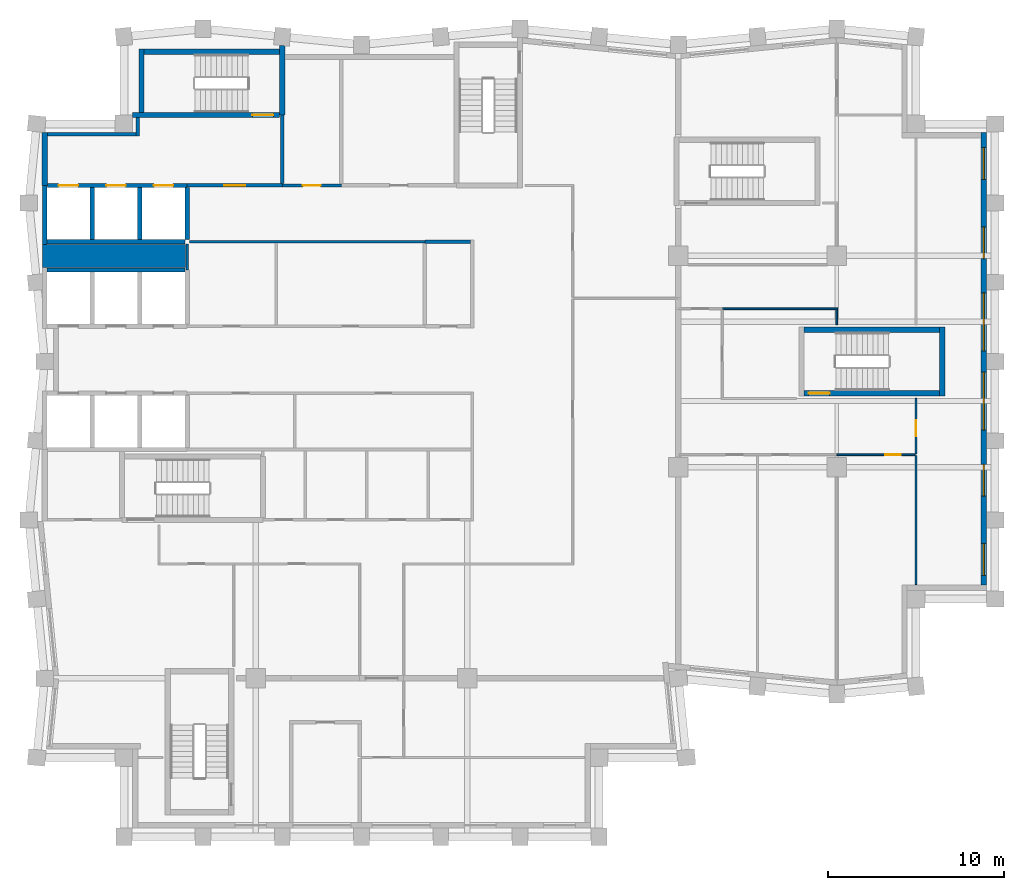
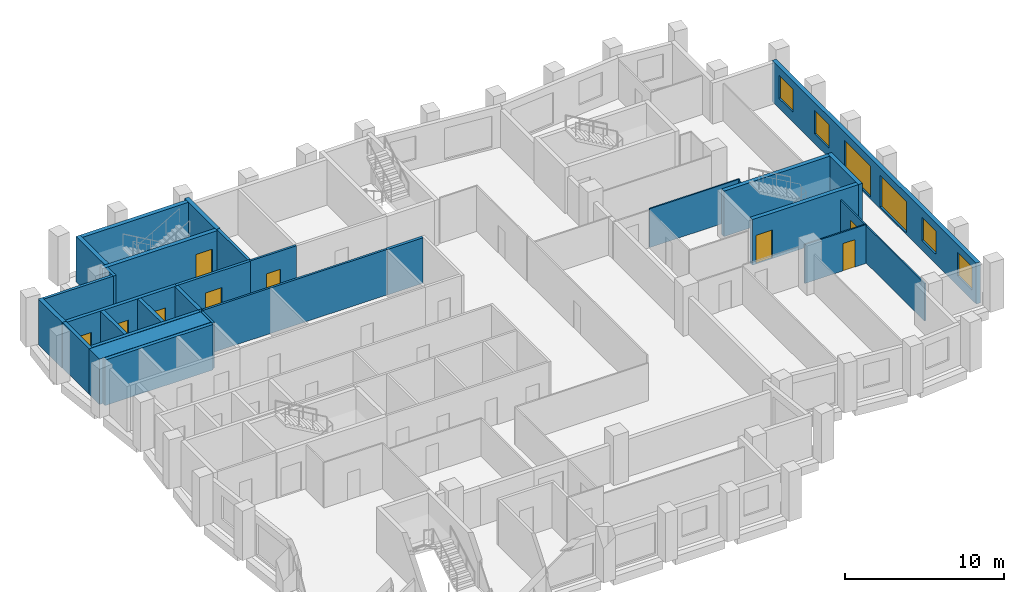
# One storey, part 5 of 8: 30 walls, 9 doors, 6 windows, 15 openings.
"""IFC4 building model written with IfcOpenShell, lengths in metres."""

from ifc_helpers import new_model, si_unit, direction, frame, frame_2d, origin, place, context, subcontext, project, spatial, rectangle, extrude, material, layer, layer_set, type_object, element, fill, save


model = new_model("IFC4")

# Units and contexts
model_context = context("Model", 3, precision=1e-05, world=origin(), true_north=direction((0.0, 1.0)))
body_context = subcontext(model_context, "Body", "Model", "MODEL_VIEW")
ifc_project = project(units=[si_unit("LENGTHUNIT", "METRE"), si_unit("AREAUNIT", "SQUARE_METRE"), si_unit("VOLUMEUNIT", "CUBIC_METRE"), si_unit("PLANEANGLEUNIT", "RADIAN"), si_unit("MASSUNIT", "GRAM", prefix="KILO")], contexts=[model_context])

# Site, building, storey
site_placement = place(None, origin())
site = spatial("IfcSite", under=ifc_project, at=site_placement, CompositionType="ELEMENT")
building_placement = place(site_placement, origin())
building = spatial("IfcBuilding", under=site, at=building_placement, Name="Brondeck Convention Tower", CompositionType="ELEMENT")
storey_placement = place(building_placement, frame((0.0, 0.0, 229.199951171875)))
storey = spatial("IfcBuildingStorey", under=building, at=storey_placement, Name="L56", CompositionType="ELEMENT", Elevation=229.199951171875)

# Walls
ifc_material_1 = material(Name="Concrete C50/60", Category="concrete")
ifc_layer_1 = layer(ifc_material_1, 0.300048828125)
ifc_layer_set_1 = layer_set([ifc_layer_1], Name="Core outer wall 300 Concrete C50/60")
wall_type_1 = type_object("IfcWallType", Name="Core outer wall 300 Concrete C50/60", PredefinedType="SHEAR", material=ifc_layer_set_1)
wall_1_placement = place(storey_placement, frame((0.0, 55.0, 0.0), z_axis=(0.0, 0.0, 1.0), x_axis=(0.0, 1.0, 0.0)))
element("IfcWall", 1, at=wall_1_placement, inside=storey, type_object=wall_type_1, Name="L56 core wall", PredefinedType="SHEAR", context=body_context, shape_type="SweptSolid", body=[
    extrude(rectangle(XDim=3.0, YDim=0.300048828125, at=frame_2d((1.5, 0.0))), origin(), (0.0, 0.0, 1.0), 3.5),
])
ifc_material_2 = material(Name="Fire-rated gypsum board partition")
ifc_layer_2 = layer(ifc_material_2, 0.14990234375)
ifc_layer_set_2 = layer_set([ifc_layer_2], Name="Core partition 150 EI 60")
wall_type_2 = type_object("IfcWallType", Name="Core partition 150 EI 60", PredefinedType="PARTITIONING", material=ifc_layer_set_2)
wall_2_placement = place(storey_placement, frame((8.22509765625, 51.800048828125, 0.0), z_axis=(0.0, 0.0, 1.0), x_axis=(1.0, 0.0, 0.0)))
element("IfcWall", 2, at=wall_2_placement, inside=storey, type_object=wall_type_2, Name="L56 core wall", PredefinedType="PARTITIONING", context=body_context, shape_type="SweptSolid", body=[
    extrude(rectangle(XDim=13.375, YDim=0.14990234375, at=frame_2d((6.6875, 0.0))), origin(), (0.0, 0.0, 1.0), 3.5),
])

# Wall, opening, door
wall_3_placement = place(storey_placement, frame((13.5, 55.0, 0.0), z_axis=(0.0, 0.0, 1.0), x_axis=(1.0, 0.0, 0.0)))
wall_3 = element("IfcWall", 3, at=wall_3_placement, inside=storey, type_object=wall_type_2, Name="L56 core wall", PredefinedType="PARTITIONING", context=body_context, shape_type="SweptSolid", body=[
    extrude(rectangle(XDim=3.35009765625, YDim=0.14990234375, at=frame_2d((1.675048828125, 0.0))), origin(), (0.0, 0.0, 1.0), 3.5),
])
opening_1_placement = place(wall_3_placement, frame((1.175048828125, 0.0, 0.0)))
opening_1 = element("IfcOpeningElement", 4, at=opening_1_placement, cuts=wall_3, Name="Opening C30-12", PredefinedType="OPENING", context=body_context, shape_type="SweptSolid", body=[
    extrude(rectangle(XDim=1.0, YDim=2.10009765625, at=frame_2d((0.5, 1.050048828125))), frame((0.0, 0.0849609375, 0.0), z_axis=(0.0, -1.0, 0.0), x_axis=(1.0, 0.0, 0.0)), (0.0, 0.0, 1.0), 0.169921875),
])
ifc_material_3 = material(Name="Steel fire door", Category="steel")
door_type_1 = type_object("IfcDoorType", Name="Room door 1000x2100 EI 60", OperationType="NOTDEFINED", PredefinedType="DOOR", material=ifc_material_3)
door_1_placement = place(opening_1_placement, origin())
door_1 = element("IfcDoor", 5, at=door_1_placement, inside=storey, type_object=door_type_1, Name="L56 Room door NE-1", OperationType="SINGLE_SWING_LEFT", OverallHeight=2.10009765625, OverallWidth=1.0, PredefinedType="DOOR", context=body_context, shape_type="SweptSolid", body=[
    extrude(rectangle(XDim=1.0, YDim=2.10009765625, at=frame_2d((0.5, 1.050048828125))), frame((0.0, 0.02490234375, 0.0), z_axis=(0.0, -1.0, 0.0), x_axis=(1.0, 0.0, 0.0)), (0.0, 0.0, 1.0), 0.050048828125),
])
fill(opening_1, door_1)

# Walls
wall_4_placement = place(storey_placement, frame((8.10009765625, 50.199951171875, 0.0), z_axis=(0.0, 0.0, 1.0), x_axis=(0.0, 1.0, 0.0)))
element("IfcWall", 6, at=wall_4_placement, inside=storey, type_object=wall_type_2, Name="L56 core wall", PredefinedType="PARTITIONING", context=body_context, shape_type="SweptSolid", body=[
    extrude(rectangle(XDim=1.47509765625, YDim=0.14990234375, at=frame_2d((0.737548828125, 0.0))), origin(), (0.0, 0.0, 1.0), 3.5),
])
ifc_layer_3 = layer(ifc_material_1, 1.300048828125)
ifc_layer_set_3 = layer_set([ifc_layer_3], Name="Core shear wall 1300 Concrete C50/60")
wall_type_3 = type_object("IfcWallType", Name="Core shear wall 1300 Concrete C50/60", PredefinedType="SHEAR", material=ifc_layer_set_3)
wall_5_placement = place(storey_placement, frame((-0.125, 51.0, 0.0), z_axis=(0.0, 0.0, 1.0), x_axis=(1.0, 0.0, 0.0)))
element("IfcWall", 7, at=wall_5_placement, inside=storey, type_object=wall_type_3, Name="L56 core wall", PredefinedType="SHEAR", context=body_context, shape_type="SweptSolid", body=[
    extrude(rectangle(XDim=8.125, YDim=1.300048828125, at=frame_2d((4.0625, 0.0))), origin(), (0.0, 0.0, 1.0), 3.5),
])

# Wall, openings, windows
ifc_material_4 = material(Name="Precast concrete C50/60 bronze finish", Category="concrete")
ifc_layer_4 = layer(ifc_material_4, 0.070068359375, Name="Bronze precast facing")
ifc_material_5 = material(Name="Mineral wool")
ifc_layer_5 = layer(ifc_material_5, 0.159912109375, Name="Insulation")
ifc_material_6 = material(Name="Concrete C35/45", Category="concrete")
ifc_layer_6 = layer(ifc_material_6, 0.070068359375, Name="Backing")
ifc_layer_set_4 = layer_set([ifc_layer_4, ifc_layer_5, ifc_layer_6], Name="External infill wall, precast concrete C50/60 bronze facing")
wall_type_4 = type_object("IfcWallType", Name="External infill wall, precast concrete C50/60 bronze facing", PredefinedType="SOLIDWALL", material=ifc_layer_set_4)
wall_6_placement = place(storey_placement, frame((53.35009765625, 58.0, 0.0), z_axis=(0.0, 0.0, 1.0), x_axis=(0.0, -1.0, 0.0)))
wall_6 = element("IfcWall", 8, at=wall_6_placement, inside=storey, type_object=wall_type_4, Name="ENV-EW-L56-P2-A-E54-01", PredefinedType="SOLIDWALL", context=body_context, shape_type="SweptSolid", body=[
    extrude(rectangle(XDim=25.701904296875, YDim=0.300048828125, at=frame_2d((12.85107421875, 0.0))), origin(), (0.0, 0.0, 1.0), 3.150146484375),
])
opening_2_placement = place(wall_6_placement, frame((0.85009765625, 0.0, 0.75)))
opening_2 = element("IfcOpeningElement", 9, at=opening_2_placement, cuts=wall_6, Name="Opening W10", PredefinedType="OPENING", context=body_context, shape_type="SweptSolid", body=[
    extrude(rectangle(XDim=1.800048828125, YDim=1.800048828125, at=frame_2d((0.89990234375, 0.89990234375))), frame((0.0, 0.159912109375, 0.0), z_axis=(0.0, -1.0, 0.0), x_axis=(1.0, 0.0, 0.0)), (0.0, 0.0, 1.0), 0.320068359375),
])
opening_3_placement = place(wall_6_placement, frame((5.35009765625, 0.0, 0.75)))
opening_3 = element("IfcOpeningElement", 10, at=opening_3_placement, cuts=wall_6, Name="Opening W10", PredefinedType="OPENING", context=body_context, shape_type="SweptSolid", body=[
    extrude(rectangle(XDim=1.800048828125, YDim=1.800048828125, at=frame_2d((0.89990234375, 0.89990234375))), frame((0.0, 0.159912109375, 0.0), z_axis=(0.0, -1.0, 0.0), x_axis=(1.0, 0.0, 0.0)), (0.0, 0.0, 1.0), 0.320068359375),
])
opening_4_placement = place(wall_6_placement, frame((9.10009765625, 0.0, 0.14990234375)))
opening_4 = element("IfcOpeningElement", 11, at=opening_4_placement, cuts=wall_6, Name="Opening W9", PredefinedType="OPENING", context=body_context, shape_type="SweptSolid", body=[
    extrude(rectangle(XDim=3.300048828125, YDim=2.39990234375, at=frame_2d((1.64990234375, 1.199951171875))), frame((0.0, 0.159912109375, 0.0), z_axis=(0.0, -1.0, 0.0), x_axis=(1.0, 0.0, 0.0)), (0.0, 0.0, 1.0), 0.320068359375),
])
opening_5_placement = place(wall_6_placement, frame((13.60009765625, 0.0, 0.14990234375)))
opening_5 = element("IfcOpeningElement", 12, at=opening_5_placement, cuts=wall_6, Name="Opening W9", PredefinedType="OPENING", context=body_context, shape_type="SweptSolid", body=[
    extrude(rectangle(XDim=3.300048828125, YDim=2.39990234375, at=frame_2d((1.64990234375, 1.199951171875))), frame((0.0, 0.159912109375, 0.0), z_axis=(0.0, -1.0, 0.0), x_axis=(1.0, 0.0, 0.0)), (0.0, 0.0, 1.0), 0.320068359375),
])
opening_6_placement = place(wall_6_placement, frame((18.85009765625, 0.0, 0.75)))
opening_6 = element("IfcOpeningElement", 13, at=opening_6_placement, cuts=wall_6, Name="Opening W10", PredefinedType="OPENING", context=body_context, shape_type="SweptSolid", body=[
    extrude(rectangle(XDim=1.800048828125, YDim=1.800048828125, at=frame_2d((0.89990234375, 0.89990234375))), frame((0.0, 0.159912109375, 0.0), z_axis=(0.0, -1.0, 0.0), x_axis=(1.0, 0.0, 0.0)), (0.0, 0.0, 1.0), 0.320068359375),
])
opening_7_placement = place(wall_6_placement, frame((23.35009765625, 0.0, 0.75)))
opening_7 = element("IfcOpeningElement", 14, at=opening_7_placement, cuts=wall_6, Name="Opening W10", PredefinedType="OPENING", context=body_context, shape_type="SweptSolid", body=[
    extrude(rectangle(XDim=1.800048828125, YDim=1.800048828125, at=frame_2d((0.89990234375, 0.89990234375))), frame((0.0, 0.159912109375, 0.0), z_axis=(0.0, -1.0, 0.0), x_axis=(1.0, 0.0, 0.0)), (0.0, 0.0, 1.0), 0.320068359375),
])
ifc_material_7 = material(Name="Bronze tinted double glazing", Category="glass")
window_type_1 = type_object("IfcWindowType", Name="Glazed flute window, bronze tinted", PartitioningType="SINGLE_PANEL", PredefinedType="WINDOW", material=ifc_material_7)
window_1_placement = place(opening_4_placement, origin())
window_1 = element("IfcWindow", 15, at=window_1_placement, inside=storey, type_object=window_type_1, Name="ENV-WN-L56-P2-A-E54-04", OverallHeight=2.39990234375, OverallWidth=3.300048828125, PartitioningType="SINGLE_PANEL", PredefinedType="WINDOW", context=body_context, shape_type="SweptSolid", body=[
    extrude(rectangle(XDim=3.300048828125, YDim=2.39990234375, at=frame_2d((1.64990234375, 1.199951171875))), frame((0.0, 0.030029296875, 0.0), z_axis=(0.0, -1.0, 0.0), x_axis=(1.0, 0.0, 0.0)), (0.0, 0.0, 1.0), 0.06005859375),
])
fill(opening_4, window_1)
window_2_placement = place(opening_5_placement, origin())
window_2 = element("IfcWindow", 16, at=window_2_placement, inside=storey, type_object=window_type_1, Name="ENV-WN-L56-P2-A-E54-03", OverallHeight=2.39990234375, OverallWidth=3.300048828125, PartitioningType="SINGLE_PANEL", PredefinedType="WINDOW", context=body_context, shape_type="SweptSolid", body=[
    extrude(rectangle(XDim=3.300048828125, YDim=2.39990234375, at=frame_2d((1.64990234375, 1.199951171875))), frame((0.0, 0.030029296875, 0.0), z_axis=(0.0, -1.0, 0.0), x_axis=(1.0, 0.0, 0.0)), (0.0, 0.0, 1.0), 0.06005859375),
])
fill(opening_5, window_2)
window_type_2 = type_object("IfcWindowType", Name="Punched window, bronze tinted", PartitioningType="SINGLE_PANEL", PredefinedType="WINDOW", material=ifc_material_7)
window_3_placement = place(opening_2_placement, origin())
window_3 = element("IfcWindow", 17, at=window_3_placement, inside=storey, type_object=window_type_2, Name="ENV-WN-L56-P2-A-E54-06", OverallHeight=1.800048828125, OverallWidth=1.800048828125, PartitioningType="SINGLE_PANEL", PredefinedType="WINDOW", context=body_context, shape_type="SweptSolid", body=[
    extrude(rectangle(XDim=1.800048828125, YDim=1.800048828125, at=frame_2d((0.89990234375, 0.89990234375))), frame((0.0, 0.030029296875, 0.0), z_axis=(0.0, -1.0, 0.0), x_axis=(1.0, 0.0, 0.0)), (0.0, 0.0, 1.0), 0.06005859375),
])
fill(opening_2, window_3)
window_4_placement = place(opening_3_placement, origin())
window_4 = element("IfcWindow", 18, at=window_4_placement, inside=storey, type_object=window_type_2, Name="ENV-WN-L56-P2-A-E54-05", OverallHeight=1.800048828125, OverallWidth=1.800048828125, PartitioningType="SINGLE_PANEL", PredefinedType="WINDOW", context=body_context, shape_type="SweptSolid", body=[
    extrude(rectangle(XDim=1.800048828125, YDim=1.800048828125, at=frame_2d((0.89990234375, 0.89990234375))), frame((0.0, 0.030029296875, 0.0), z_axis=(0.0, -1.0, 0.0), x_axis=(1.0, 0.0, 0.0)), (0.0, 0.0, 1.0), 0.06005859375),
])
fill(opening_3, window_4)
window_5_placement = place(opening_6_placement, origin())
window_5 = element("IfcWindow", 19, at=window_5_placement, inside=storey, type_object=window_type_2, Name="ENV-WN-L56-P2-A-E54-02", OverallHeight=1.800048828125, OverallWidth=1.800048828125, PartitioningType="SINGLE_PANEL", PredefinedType="WINDOW", context=body_context, shape_type="SweptSolid", body=[
    extrude(rectangle(XDim=1.800048828125, YDim=1.800048828125, at=frame_2d((0.89990234375, 0.89990234375))), frame((0.0, 0.030029296875, 0.0), z_axis=(0.0, -1.0, 0.0), x_axis=(1.0, 0.0, 0.0)), (0.0, 0.0, 1.0), 0.06005859375),
])
fill(opening_6, window_5)
window_6_placement = place(opening_7_placement, origin())
window_6 = element("IfcWindow", 20, at=window_6_placement, inside=storey, type_object=window_type_2, Name="ENV-WN-L56-P2-A-E54-01", OverallHeight=1.800048828125, OverallWidth=1.800048828125, PartitioningType="SINGLE_PANEL", PredefinedType="WINDOW", context=body_context, shape_type="SweptSolid", body=[
    extrude(rectangle(XDim=1.800048828125, YDim=1.800048828125, at=frame_2d((0.89990234375, 0.89990234375))), frame((0.0, 0.030029296875, 0.0), z_axis=(0.0, -1.0, 0.0), x_axis=(1.0, 0.0, 0.0)), (0.0, 0.0, 1.0), 0.06005859375),
])
fill(opening_7, window_6)

# Wall, opening, door
ifc_layer_7 = layer(ifc_material_2, 0.199951171875)
ifc_layer_set_5 = layer_set([ifc_layer_7], Name="Firefighting lobby wall 200 EI 120")
wall_type_5 = type_object("IfcWallType", Name="Firefighting lobby wall 200 EI 120", PredefinedType="PARTITIONING", material=ifc_layer_set_5)
wall_7_placement = place(storey_placement, frame((8.10009765625, 55.0, 0.0), z_axis=(0.0, 0.0, 1.0), x_axis=(1.0, 0.0, 0.0)))
wall_7 = element("IfcWall", 21, at=wall_7_placement, inside=storey, type_object=wall_type_5, Name="L56 core wall", PredefinedType="PARTITIONING", context=body_context, shape_type="SweptSolid", body=[
    extrude(rectangle(XDim=5.39990234375, YDim=0.199951171875, at=frame_2d((2.699951171875, 0.0))), origin(), (0.0, 0.0, 1.0), 3.5),
])
opening_8_placement = place(wall_7_placement, frame((2.10009765625, 0.0, 0.0)))
opening_8 = element("IfcOpeningElement", 22, at=opening_8_placement, cuts=wall_7, Name="Opening C30-01", PredefinedType="OPENING", context=body_context, shape_type="SweptSolid", body=[
    extrude(rectangle(XDim=1.199951171875, YDim=2.199951171875, at=frame_2d((0.60009765625, 1.10009765625))), frame((0.0, 0.10986328125, 0.0), z_axis=(0.0, -1.0, 0.0), x_axis=(1.0, 0.0, 0.0)), (0.0, 0.0, 1.0), 0.219970703125),
])
door_type_2 = type_object("IfcDoorType", Name="Firefighting lobby door 1200x2200 EI 120", OperationType="NOTDEFINED", PredefinedType="DOOR", material=ifc_material_3)
door_2_placement = place(opening_8_placement, origin())
door_2 = element("IfcDoor", 23, at=door_2_placement, inside=storey, type_object=door_type_2, Name="L56 Firefighting lobby door FFL-1", OperationType="SINGLE_SWING_RIGHT", OverallHeight=2.199951171875, OverallWidth=1.199951171875, PredefinedType="DOOR", context=body_context, shape_type="SweptSolid", body=[
    extrude(rectangle(XDim=1.199951171875, YDim=2.199951171875, at=frame_2d((0.60009765625, 1.10009765625))), frame((0.0, 0.02490234375, 0.0), z_axis=(0.0, -1.0, 0.0), x_axis=(1.0, 0.0, 0.0)), (0.0, 0.0, 1.0), 0.050048828125),
])
fill(opening_8, door_2)

# Walls
wall_8_placement = place(storey_placement, frame((0.14990234375, 57.89990234375, 0.0), z_axis=(0.0, 0.0, 1.0), x_axis=(1.0, 0.0, 0.0)))
element("IfcWall", 24, at=wall_8_placement, inside=storey, type_object=wall_type_5, Name="L56 core wall", PredefinedType="PARTITIONING", context=body_context, shape_type="SweptSolid", body=[
    extrude(rectangle(XDim=5.050048828125, YDim=0.199951171875, at=frame_2d((2.52490234375, 0.0))), origin(), (0.0, 0.0, 1.0), 3.5),
])
wall_9_placement = place(storey_placement, frame((5.300048828125, 57.800048828125, 0.0), z_axis=(0.0, 0.0, 1.0), x_axis=(0.0, 1.0, 0.0)))
element("IfcWall", 25, at=wall_9_placement, inside=storey, type_object=wall_type_5, Name="L56 core wall", PredefinedType="PARTITIONING", context=body_context, shape_type="SweptSolid", body=[
    extrude(rectangle(XDim=1.050048828125, YDim=0.199951171875, at=frame_2d((0.52490234375, 0.0))), origin(), (0.0, 0.0, 1.0), 3.5),
])
wall_10_placement = place(storey_placement, frame((13.5, 55.10009765625, 0.0), z_axis=(0.0, 0.0, 1.0), x_axis=(0.0, 1.0, 0.0)))
element("IfcWall", 26, at=wall_10_placement, inside=storey, type_object=wall_type_5, Name="L56 core wall", PredefinedType="PARTITIONING", context=body_context, shape_type="SweptSolid", body=[
    extrude(rectangle(XDim=3.89990234375, YDim=0.199951171875, at=frame_2d((1.949951171875, 0.0))), origin(), (0.0, 0.0, 1.0), 3.5),
])
ifc_layer_8 = layer(ifc_material_1, 0.25)
ifc_layer_set_6 = layer_set([ifc_layer_8], Name="Lift shaft wall 250 Concrete C50/60")
wall_type_6 = type_object("IfcWallType", Name="Lift shaft wall 250 Concrete C50/60", PredefinedType="SHEAR", material=ifc_layer_set_6)
for number, where, z_axis, x_axis, name in (
    (27, (0.125, 50.199951171875, 0.0), (0.0, 0.0, 1.0), (1.0, 0.0, 0.0), "L56 core wall"),
    (28, (0.125, 51.800048828125, 0.0), (0.0, 0.0, 1.0), (1.0, 0.0, 0.0), "L56 core wall"),
):
    element("IfcWall", number, at=place(storey_placement, frame(where, z_axis=z_axis, x_axis=x_axis)), inside=storey, type_object=wall_type_6, Name=name, PredefinedType="SHEAR", context=body_context, shape_type="SweptSolid", body=[
        extrude(rectangle(XDim=7.85009765625, YDim=0.25, at=frame_2d((3.925048828125, 0.0))), origin(), (0.0, 0.0, 1.0), 3.5),
    ])

# Wall, openings, doors
wall_11_placement = place(storey_placement, frame((0.14990234375, 55.0, 0.0), z_axis=(0.0, 0.0, 1.0), x_axis=(1.0, 0.0, 0.0)))
wall_11 = element("IfcWall", 29, at=wall_11_placement, inside=storey, type_object=wall_type_6, Name="L56 core wall", PredefinedType="SHEAR", context=body_context, shape_type="SweptSolid", body=[
    extrude(rectangle(XDim=7.9501953125, YDim=0.25, at=frame_2d((3.97509765625, 0.0))), origin(), (0.0, 0.0, 1.0), 3.5),
])
opening_9_placement = place(wall_11_placement, frame((0.64990234375, 0.0, 0.0)))
opening_9 = element("IfcOpeningElement", 30, at=opening_9_placement, cuts=wall_11, Name="Opening C30-20", PredefinedType="OPENING", context=body_context, shape_type="SweptSolid", body=[
    extrude(rectangle(XDim=1.10009765625, YDim=2.10009765625, at=frame_2d((0.550048828125, 1.050048828125))), frame((0.0, 0.135009765625, 0.0), z_axis=(0.0, -1.0, 0.0), x_axis=(1.0, 0.0, 0.0)), (0.0, 0.0, 1.0), 0.27001953125),
])
opening_10_placement = place(wall_11_placement, frame((3.35009765625, 0.0, 0.0)))
opening_10 = element("IfcOpeningElement", 31, at=opening_10_placement, cuts=wall_11, Name="Opening C30-21", PredefinedType="OPENING", context=body_context, shape_type="SweptSolid", body=[
    extrude(rectangle(XDim=1.10009765625, YDim=2.10009765625, at=frame_2d((0.550048828125, 1.050048828125))), frame((0.0, 0.135009765625, 0.0), z_axis=(0.0, -1.0, 0.0), x_axis=(1.0, 0.0, 0.0)), (0.0, 0.0, 1.0), 0.27001953125),
])
opening_11_placement = place(wall_11_placement, frame((6.050048828125, 0.0, 0.0)))
opening_11 = element("IfcOpeningElement", 32, at=opening_11_placement, cuts=wall_11, Name="Opening C30-22", PredefinedType="OPENING", context=body_context, shape_type="SweptSolid", body=[
    extrude(rectangle(XDim=1.10009765625, YDim=2.10009765625, at=frame_2d((0.550048828125, 1.050048828125))), frame((0.0, 0.135009765625, 0.0), z_axis=(0.0, -1.0, 0.0), x_axis=(1.0, 0.0, 0.0)), (0.0, 0.0, 1.0), 0.27001953125),
])
ifc_material_8 = material(Name="Stainless steel lift door", Category="steel")
door_type_3 = type_object("IfcDoorType", Name="Lift landing door 1100x2100 EI 180", OperationType="DOUBLE_DOOR_SLIDING", PredefinedType="DOOR", material=ifc_material_8)
door_3_placement = place(opening_9_placement, origin())
door_3 = element("IfcDoor", 33, at=door_3_placement, inside=storey, type_object=door_type_3, Name="L56 Lift landing door FF1", OperationType="DOUBLE_DOOR_SLIDING", OverallHeight=2.10009765625, OverallWidth=1.10009765625, PredefinedType="DOOR", context=body_context, shape_type="SweptSolid", body=[
    extrude(rectangle(XDim=1.10009765625, YDim=2.10009765625, at=frame_2d((0.550048828125, 1.050048828125))), frame((0.0, 0.02490234375, 0.0), z_axis=(0.0, -1.0, 0.0), x_axis=(1.0, 0.0, 0.0)), (0.0, 0.0, 1.0), 0.050048828125),
])
fill(opening_9, door_3)
door_4_placement = place(opening_10_placement, origin())
door_4 = element("IfcDoor", 34, at=door_4_placement, inside=storey, type_object=door_type_3, Name="L56 Lift landing door FF2", OperationType="DOUBLE_DOOR_SLIDING", OverallHeight=2.10009765625, OverallWidth=1.10009765625, PredefinedType="DOOR", context=body_context, shape_type="SweptSolid", body=[
    extrude(rectangle(XDim=1.10009765625, YDim=2.10009765625, at=frame_2d((0.550048828125, 1.050048828125))), frame((0.0, 0.02490234375, 0.0), z_axis=(0.0, -1.0, 0.0), x_axis=(1.0, 0.0, 0.0)), (0.0, 0.0, 1.0), 0.050048828125),
])
fill(opening_10, door_4)
door_5_placement = place(opening_11_placement, origin())
door_5 = element("IfcDoor", 35, at=door_5_placement, inside=storey, type_object=door_type_3, Name="L56 Lift landing door FF3", OperationType="DOUBLE_DOOR_SLIDING", OverallHeight=2.10009765625, OverallWidth=1.10009765625, PredefinedType="DOOR", context=body_context, shape_type="SweptSolid", body=[
    extrude(rectangle(XDim=1.10009765625, YDim=2.10009765625, at=frame_2d((0.550048828125, 1.050048828125))), frame((0.0, 0.02490234375, 0.0), z_axis=(0.0, -1.0, 0.0), x_axis=(1.0, 0.0, 0.0)), (0.0, 0.0, 1.0), 0.050048828125),
])
fill(opening_11, door_5)

# Walls
wall_12_placement = place(storey_placement, frame((0.0, 51.64990234375, 0.0), z_axis=(0.0, 0.0, 1.0), x_axis=(0.0, 1.0, 0.0)))
element("IfcWall", 36, at=wall_12_placement, inside=storey, type_object=wall_type_6, Name="L56 core wall", PredefinedType="SHEAR", context=body_context, shape_type="SweptSolid", body=[
    extrude(rectangle(XDim=3.35009765625, YDim=0.25, at=frame_2d((1.675048828125, 0.0))), origin(), (0.0, 0.0, 1.0), 3.5),
])
for number, where, z_axis, x_axis, name in (
    (37, (2.699951171875, 51.925048828125, 0.0), (0.0, 0.0, 1.0), (0.0, 1.0, 0.0), "L56 core wall"),
    (38, (5.39990234375, 51.925048828125, 0.0), (0.0, 0.0, 1.0), (0.0, 1.0, 0.0), "L56 core wall"),
    (39, (8.10009765625, 51.925048828125, 0.0), (0.0, 0.0, 1.0), (0.0, 1.0, 0.0), "L56 core wall"),
):
    element("IfcWall", number, at=place(storey_placement, frame(where, z_axis=z_axis, x_axis=x_axis)), inside=storey, type_object=wall_type_6, Name=name, PredefinedType="SHEAR", context=body_context, shape_type="SweptSolid", body=[
        extrude(rectangle(XDim=2.949951171875, YDim=0.25, at=frame_2d((1.47509765625, 0.0))), origin(), (0.0, 0.0, 1.0), 3.5),
    ])
ifc_layer_9 = layer(ifc_material_2, 0.199951171875)
ifc_layer_set_7 = layer_set([ifc_layer_9], Name="Riser wall 200 EI 120")
wall_type_7 = type_object("IfcWallType", Name="Riser wall 200 EI 120", PredefinedType="PARTITIONING", material=ifc_layer_set_7)
wall_13_placement = place(storey_placement, frame((21.60009765625, 51.800048828125, 0.0), z_axis=(0.0, 0.0, 1.0), x_axis=(1.0, 0.0, 0.0)))
element("IfcWall", 40, at=wall_13_placement, inside=storey, type_object=wall_type_7, Name="L56 core wall", PredefinedType="PARTITIONING", context=body_context, shape_type="SweptSolid", body=[
    extrude(rectangle(XDim=2.599853515625, YDim=0.199951171875, at=frame_2d((1.2998046875, 0.0))), origin(), (0.0, 0.0, 1.0), 3.5),
])
ifc_material_9 = material(Name="Gypsum board partition on steel studs", Category="steel")
ifc_layer_10 = layer(ifc_material_9, 0.10009765625)
ifc_layer_set_8 = layer_set([ifc_layer_10], Name="Room partition 100")
wall_type_8 = type_object("IfcWallType", Name="Room partition 100", PredefinedType="PARTITIONING", material=ifc_layer_set_8)
wall_14_placement = place(storey_placement, frame((49.5, 32.320068359375, 0.0), z_axis=(0.0, 0.0, 1.0), x_axis=(0.0, 1.0, 0.0)))
element("IfcWall", 41, at=wall_14_placement, inside=storey, type_object=wall_type_8, Name="FLR-L56-W023", PredefinedType="PARTITIONING", context=body_context, shape_type="SweptSolid", body=[
    extrude(rectangle(XDim=7.329833984375, YDim=0.10009765625, at=frame_2d((3.6650390625, 0.0))), origin(), (0.0, 0.0, 1.0), 2.880126953125),
])

# Wall, opening, door
wall_15_placement = place(storey_placement, frame((49.449951171875, 39.699951171875, 0.0), z_axis=(0.0, 0.0, 1.0), x_axis=(-1.0, 0.0, 0.0)))
wall_15 = element("IfcWall", 42, at=wall_15_placement, inside=storey, type_object=wall_type_8, Name="FLR-L56-W034", PredefinedType="PARTITIONING", context=body_context, shape_type="SweptSolid", body=[
    extrude(rectangle(XDim=4.449951171875, YDim=0.10009765625, at=frame_2d((2.22509765625, 0.0))), origin(), (0.0, 0.0, 1.0), 2.97998046875),
])
opening_12_placement = place(wall_15_placement, frame((0.804443359375, 0.0, 0.0)))
opening_12 = element("IfcOpeningElement", 43, at=opening_12_placement, cuts=wall_15, Name="Opening OF-M-006", PredefinedType="OPENING", context=body_context, shape_type="SweptSolid", body=[
    extrude(rectangle(XDim=0.89990234375, YDim=2.10009765625, at=frame_2d((0.449951171875, 1.050048828125))), frame((0.0, 0.06005859375, 0.0), z_axis=(0.0, -1.0, 0.0), x_axis=(1.0, 0.0, 0.0)), (0.0, 0.0, 1.0), 0.1201171875),
])
ifc_material_10 = material(Name="Solid timber door leaf", Category="wood")
door_type_4 = type_object("IfcDoorType", Name="Single door 900", OperationType="NOTDEFINED", PredefinedType="DOOR", material=ifc_material_10)
door_6_placement = place(opening_12_placement, origin())
door_6 = element("IfcDoor", 44, at=door_6_placement, inside=storey, type_object=door_type_4, Name="Door OF-M-006", OperationType="SINGLE_SWING_LEFT", OverallHeight=2.10009765625, OverallWidth=0.89990234375, PredefinedType="DOOR", context=body_context, shape_type="SweptSolid", body=[
    extrude(rectangle(XDim=0.89990234375, YDim=2.10009765625, at=frame_2d((0.449951171875, 1.050048828125))), frame((0.0, 0.02490234375, 0.0), z_axis=(0.0, -1.0, 0.0), x_axis=(1.0, 0.0, 0.0)), (0.0, 0.0, 1.0), 0.050048828125),
])
fill(opening_12, door_6)

wall_16_placement = place(storey_placement, frame((49.5, 42.89990234375, 0.0), z_axis=(0.0, 0.0, 1.0), x_axis=(0.0, -1.0, 0.0)))
wall_16 = element("IfcWall", 45, at=wall_16_placement, inside=storey, type_object=wall_type_8, Name="FLR-L56-W037", PredefinedType="PARTITIONING", context=body_context, shape_type="SweptSolid", body=[
    extrude(rectangle(XDim=3.14990234375, YDim=0.10009765625, at=frame_2d((1.574951171875, 0.0))), origin(), (0.0, 0.0, 1.0), 2.880126953125),
])
opening_13_placement = place(wall_16_placement, frame((1.25, 0.0, 0.0)))
opening_13 = element("IfcOpeningElement", 46, at=opening_13_placement, cuts=wall_16, Name="Opening OF-M-003", PredefinedType="OPENING", context=body_context, shape_type="SweptSolid", body=[
    extrude(rectangle(XDim=0.89990234375, YDim=2.10009765625, at=frame_2d((0.449951171875, 1.050048828125))), frame((0.0, 0.06005859375, 0.0), z_axis=(0.0, -1.0, 0.0), x_axis=(1.0, 0.0, 0.0)), (0.0, 0.0, 1.0), 0.1201171875),
])
door_7_placement = place(opening_13_placement, origin())
door_7 = element("IfcDoor", 47, at=door_7_placement, inside=storey, type_object=door_type_4, Name="Door OF-M-003", OperationType="SINGLE_SWING_LEFT", OverallHeight=2.10009765625, OverallWidth=0.89990234375, PredefinedType="DOOR", context=body_context, shape_type="SweptSolid", body=[
    extrude(rectangle(XDim=0.89990234375, YDim=2.10009765625, at=frame_2d((0.449951171875, 1.050048828125))), frame((0.0, 0.02490234375, 0.0), z_axis=(0.0, -1.0, 0.0), x_axis=(1.0, 0.0, 0.0)), (0.0, 0.0, 1.0), 0.050048828125),
])
fill(opening_13, door_7)

# Walls
wall_17_placement = place(storey_placement, frame((45.0, 47.949951171875, 0.0), z_axis=(0.0, 0.0, 1.0), x_axis=(0.0, -1.0, 0.0)))
element("IfcWall", 48, at=wall_17_placement, inside=storey, type_object=wall_type_8, Name="FLR-L56-W040", PredefinedType="PARTITIONING", context=body_context, shape_type="SweptSolid", body=[
    extrude(rectangle(XDim=0.849853515625, YDim=0.10009765625, at=frame_2d((0.4248046875, 0.0))), origin(), (0.0, 0.0, 1.0), 2.880126953125),
])
wall_18_placement = place(storey_placement, frame((38.5, 48.0, 0.0), z_axis=(0.0, 0.0, 1.0), x_axis=(1.0, 0.0, 0.0)))
element("IfcWall", 49, at=wall_18_placement, inside=storey, type_object=wall_type_8, Name="FLR-L56-W042", PredefinedType="PARTITIONING", context=body_context, shape_type="SweptSolid", body=[
    extrude(rectangle(XDim=6.550048828125, YDim=0.10009765625, at=frame_2d((3.27490234375, 0.0))), origin(), (0.0, 0.0, 1.0), 2.97998046875),
])

# Wall, opening, door
ifc_layer_11 = layer(ifc_material_1, 0.300048828125)
ifc_layer_set_9 = layer_set([ifc_layer_11], Name="Stair enclosure wall 300 Concrete C50/60")
wall_type_9 = type_object("IfcWallType", Name="Stair enclosure wall 300 Concrete C50/60", PredefinedType="SHEAR", material=ifc_layer_set_9)
wall_19_placement = place(storey_placement, frame((43.14990234375, 43.199951171875, 0.0), z_axis=(0.0, 0.0, 1.0), x_axis=(1.0, 0.0, 0.0)))
wall_19 = element("IfcWall", 50, at=wall_19_placement, inside=storey, type_object=wall_type_9, Name="L56 core wall", PredefinedType="SHEAR", context=body_context, shape_type="SweptSolid", body=[
    extrude(rectangle(XDim=7.7001953125, YDim=0.300048828125, at=frame_2d((3.85009765625, 0.0))), origin(), (0.0, 0.0, 1.0), 3.5),
])
opening_14_placement = place(wall_19_placement, frame((0.25, 0.0, 0.0)))
opening_14 = element("IfcOpeningElement", 51, at=opening_14_placement, cuts=wall_19, Name="Opening C30-18", PredefinedType="OPENING", context=body_context, shape_type="SweptSolid", body=[
    extrude(rectangle(XDim=1.199951171875, YDim=2.199951171875, at=frame_2d((0.60009765625, 1.10009765625))), frame((0.0, 0.159912109375, 0.0), z_axis=(0.0, -1.0, 0.0), x_axis=(1.0, 0.0, 0.0)), (0.0, 0.0, 1.0), 0.320068359375),
])
door_type_5 = type_object("IfcDoorType", Name="Stair door 1200x2200 EI 90", OperationType="NOTDEFINED", PredefinedType="DOOR", material=ifc_material_3)
door_8_placement = place(opening_14_placement, origin())
door_8 = element("IfcDoor", 52, at=door_8_placement, inside=storey, type_object=door_type_5, Name="L56 Stair door ST-AF", OperationType="SINGLE_SWING_RIGHT", OverallHeight=2.199951171875, OverallWidth=1.199951171875, PredefinedType="DOOR", context=body_context, shape_type="SweptSolid", body=[
    extrude(rectangle(XDim=1.199951171875, YDim=2.199951171875, at=frame_2d((0.60009765625, 1.10009765625))), frame((0.0, 0.02490234375, 0.0), z_axis=(0.0, -1.0, 0.0), x_axis=(1.0, 0.0, 0.0)), (0.0, 0.0, 1.0), 0.050048828125),
])
fill(opening_14, door_8)

# Wall
wall_20_placement = place(storey_placement, frame((43.14990234375, 46.800048828125, 0.0), z_axis=(0.0, 0.0, 1.0), x_axis=(1.0, 0.0, 0.0)))
element("IfcWall", 53, at=wall_20_placement, inside=storey, type_object=wall_type_9, Name="L56 core wall", PredefinedType="SHEAR", context=body_context, shape_type="SweptSolid", body=[
    extrude(rectangle(XDim=7.7001953125, YDim=0.300048828125, at=frame_2d((3.85009765625, 0.0))), origin(), (0.0, 0.0, 1.0), 3.5),
])

# Wall, opening, door
wall_21_placement = place(storey_placement, frame((5.0, 59.0, 0.0), z_axis=(0.0, 0.0, 1.0), x_axis=(1.0, 0.0, 0.0)))
wall_21 = element("IfcWall", 54, at=wall_21_placement, inside=storey, type_object=wall_type_9, Name="L56 core wall", PredefinedType="SHEAR", context=body_context, shape_type="SweptSolid", body=[
    extrude(rectangle(XDim=8.35009765625, YDim=0.300048828125, at=frame_2d((4.175048828125, 0.0))), origin(), (0.0, 0.0, 1.0), 3.5),
])
opening_15_placement = place(wall_21_placement, frame((6.800048828125, 0.0, 0.0)))
opening_15 = element("IfcOpeningElement", 55, at=opening_15_placement, cuts=wall_21, Name="Opening C30-16", PredefinedType="OPENING", context=body_context, shape_type="SweptSolid", body=[
    extrude(rectangle(XDim=1.199951171875, YDim=2.199951171875, at=frame_2d((0.60009765625, 1.10009765625))), frame((0.0, 0.159912109375, 0.0), z_axis=(0.0, -1.0, 0.0), x_axis=(1.0, 0.0, 0.0)), (0.0, 0.0, 1.0), 0.320068359375),
])
door_type_6 = type_object("IfcDoorType", Name="Stair door 1200x2200 EI 120", OperationType="NOTDEFINED", PredefinedType="DOOR", material=ifc_material_3)
door_9_placement = place(opening_15_placement, origin())
door_9 = element("IfcDoor", 56, at=door_9_placement, inside=storey, type_object=door_type_6, Name="L56 Stair door ST-3", OperationType="SINGLE_SWING_RIGHT", OverallHeight=2.199951171875, OverallWidth=1.199951171875, PredefinedType="DOOR", context=body_context, shape_type="SweptSolid", body=[
    extrude(rectangle(XDim=1.199951171875, YDim=2.199951171875, at=frame_2d((0.60009765625, 1.10009765625))), frame((0.0, 0.02490234375, 0.0), z_axis=(0.0, -1.0, 0.0), x_axis=(1.0, 0.0, 0.0)), (0.0, 0.0, 1.0), 0.050048828125),
])
fill(opening_15, door_9)

# Walls
wall_22_placement = place(storey_placement, frame((5.64990234375, 62.60009765625, 0.0), z_axis=(0.0, 0.0, 1.0), x_axis=(1.0, 0.0, 0.0)))
element("IfcWall", 57, at=wall_22_placement, inside=storey, type_object=wall_type_9, Name="L56 core wall", PredefinedType="SHEAR", context=body_context, shape_type="SweptSolid", body=[
    extrude(rectangle(XDim=7.7001953125, YDim=0.300048828125, at=frame_2d((3.85009765625, 0.0))), origin(), (0.0, 0.0, 1.0), 3.5),
])
wall_23_placement = place(storey_placement, frame((5.5, 59.14990234375, 0.0), z_axis=(0.0, 0.0, 1.0), x_axis=(0.0, 1.0, 0.0)))
element("IfcWall", 58, at=wall_23_placement, inside=storey, type_object=wall_type_9, Name="L56 core wall", PredefinedType="SHEAR", context=body_context, shape_type="SweptSolid", body=[
    extrude(rectangle(XDim=3.60009765625, YDim=0.300048828125, at=frame_2d((1.800048828125, 0.0))), origin(), (0.0, 0.0, 1.0), 3.5),
])
wall_24_placement = place(storey_placement, frame((13.5, 59.0, 0.0), z_axis=(0.0, 0.0, 1.0), x_axis=(0.0, 1.0, 0.0)))
element("IfcWall", 59, at=wall_24_placement, inside=storey, type_object=wall_type_9, Name="L56 core wall", PredefinedType="SHEAR", context=body_context, shape_type="SweptSolid", body=[
    extrude(rectangle(XDim=3.947509765625, YDim=0.300048828125, at=frame_2d((1.9736328125, 0.0))), origin(), (0.0, 0.0, 1.0), 3.5),
])
wall_25_placement = place(storey_placement, frame((51.0, 43.050048828125, 0.0), z_axis=(0.0, 0.0, 1.0), x_axis=(0.0, 1.0, 0.0)))
element("IfcWall", 60, at=wall_25_placement, inside=storey, type_object=wall_type_9, Name="L56 core wall", PredefinedType="SHEAR", context=body_context, shape_type="SweptSolid", body=[
    extrude(rectangle(XDim=3.89990234375, YDim=0.300048828125, at=frame_2d((1.949951171875, 0.0))), origin(), (0.0, 0.0, 1.0), 3.5),
])

save(model, "model.ifc")
